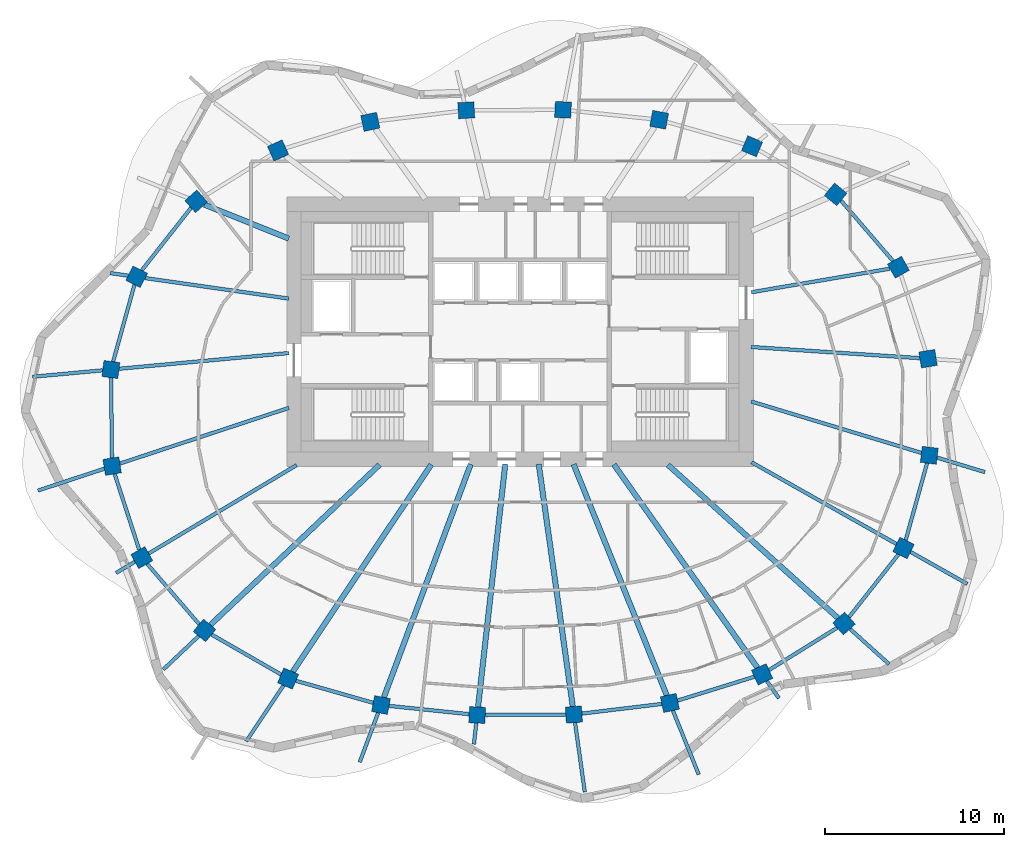
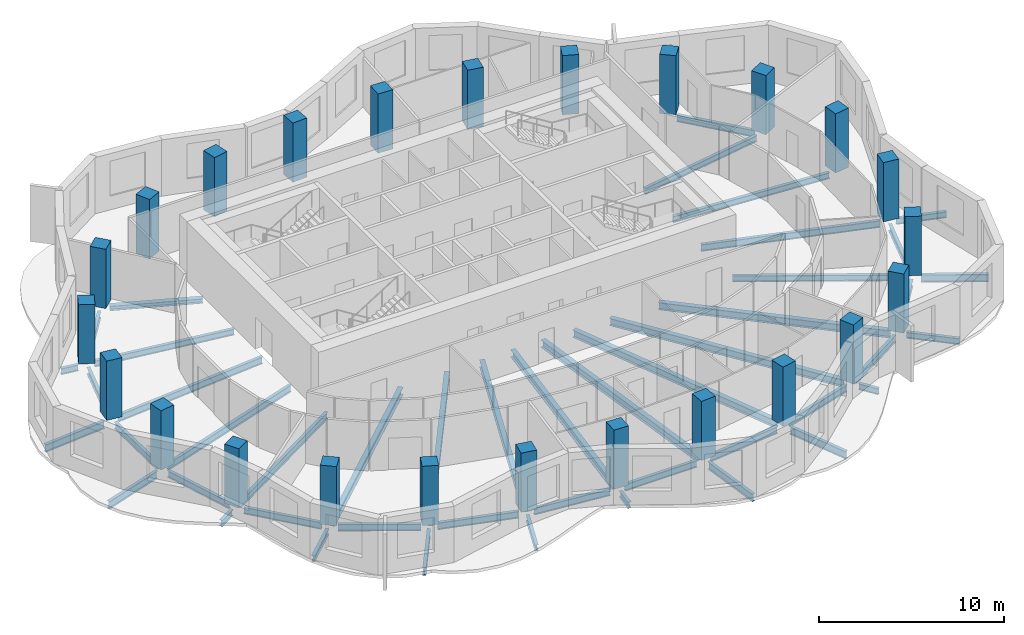
# One storey, part 1 of 9: 46 beams, 24 columns.
"""IFC4 building model written with IfcOpenShell, lengths in metres."""

from ifc_helpers import new_model, si_unit, direction, frame, origin, origin_2d, place, context, subcontext, project, spatial, rectangle, i_section, extrude, material, material_profile, profile_set, type_object, element, save


model = new_model("IFC4")

# Units and contexts
model_context = context("Model", 3, precision=1e-05, world=origin(), true_north=direction((0.0, 1.0)))
body_context = subcontext(model_context, "Body", "Model", "MODEL_VIEW")
ifc_project = project(units=[si_unit("LENGTHUNIT", "METRE"), si_unit("AREAUNIT", "SQUARE_METRE"), si_unit("VOLUMEUNIT", "CUBIC_METRE"), si_unit("PLANEANGLEUNIT", "RADIAN"), si_unit("MASSUNIT", "GRAM", prefix="KILO")], contexts=[model_context])

# Site, building, storey
site_placement = place(None, origin())
site = spatial("IfcSite", under=ifc_project, at=site_placement, CompositionType="ELEMENT")
building_placement = place(site_placement, origin())
building = spatial("IfcBuilding", under=site, at=building_placement, Name="Rubra Terraces Tower", CompositionType="ELEMENT")
storey_placement = place(building_placement, frame((0.0, 0.0, 284.39990234375)))
storey = spatial("IfcBuildingStorey", under=building, at=storey_placement, Name="L70", CompositionType="ELEMENT", Elevation=284.39990234375)

# Columns
ifc_material_1 = material(Name="Concrete C50", Category="concrete")
ifc_material_profile_1 = material_profile(ifc_material_1, rectangle(XDim=0.89990234375, YDim=0.89990234375, at=origin_2d()), Name="RC 900x900")
ifc_profile_set_1 = profile_set([ifc_material_profile_1], Name="Concrete C50")
column_type = type_object("IfcColumnType", Name="RING COLUMN RC 900x900 C50", PredefinedType="COLUMN", material=ifc_profile_set_1)
for number, where, z_axis, x_axis, name in (
    (1, (22.73388671875, 2.992919921875, 0.0), (0.0, 0.0, 1.0), (-0.162062155721, 0.986780551938, 0.0), "column-L70-ring-01"),
    (2, (21.0810546875, 8.090087890625, 0.0), (0.0, 0.0, 1.0), (-0.490161823029, 0.8716314515, 0.0), "column-L70-ring-02"),
    (3, (17.583984375, 12.15087890625, 0.0), (0.0, 0.0, 1.0), (-0.770679191336, 0.637223339216, 0.0), "column-L70-ring-03"),
    (4, (12.927001953125, 14.83203125, 0.0), (0.0, 0.0, 1.0), (-0.92110553102, 0.389312985558, 0.0), "column-L70-ring-04"),
    (5, (7.7509765625, 16.306884765625, 0.0), (0.0, 0.0, 1.0), (-0.981936574306, 0.189210369799, 0.0), "column-L70-ring-05"),
    (6, (2.39208984375, 16.862060546875, 0.0), (0.0, 0.0, 1.0), (-0.998791416829, 0.049149828786, 0.0), "column-L70-ring-06"),
    (7, (-2.9990234375, 16.8359375, 0.0), (0.0, 0.0, 1.0), (-0.998059443319, -0.062268351524, 0.0), "column-L70-ring-07"),
    (8, (-8.346923828125, 16.19189453125, 0.0), (0.0, 0.0, 1.0), (-0.977944102772, -0.208866780156, 0.0), "column-L70-ring-08"),
    (9, (-13.487060546875, 14.595947265625, 0.0), (0.0, 0.0, 1.0), (-0.90972649622, -0.415208022652, 0.0), "column-L70-ring-09"),
    (10, (-18.051025390625, 11.762939453125, 0.0), (0.0, 0.0, 1.0), (-0.7456420961, -0.66634665492, 0.0), "column-L70-ring-10"),
    (11, (-21.366943359375, 7.553955078125, 0.0), (0.0, 0.0, 1.0), (-0.452078869866, -0.891977968013, 0.0), "column-L70-ring-11"),
    (12, (-22.802001953125, 2.388916015625, 0.0), (0.0, 0.0, 1.0), (-0.128535191473, -0.991704948336, 0.0), "column-L70-ring-12"),
    (13, (-22.73388671875, -2.992919921875, 0.0), (0.0, 0.0, 1.0), (0.162062155721, -0.986780551938, 0.0), "column-L70-ring-13"),
    (14, (-21.0810546875, -8.090087890625, 0.0), (0.0, 0.0, 1.0), (0.490161823029, -0.8716314515, 0.0), "column-L70-ring-14"),
    (15, (-17.583984375, -12.15087890625, 0.0), (0.0, 0.0, 1.0), (0.770679191336, -0.637223339216, 0.0), "column-L70-ring-15"),
    (16, (-12.927001953125, -14.83203125, 0.0), (0.0, 0.0, 1.0), (0.92110553102, -0.389312985558, 0.0), "column-L70-ring-16"),
    (17, (-7.7509765625, -16.306884765625, 0.0), (0.0, 0.0, 1.0), (0.981936574306, -0.189210369799, 0.0), "column-L70-ring-17"),
    (18, (-2.39208984375, -16.862060546875, 0.0), (0.0, 0.0, 1.0), (0.998791416829, -0.049149828786, 0.0), "column-L70-ring-18"),
    (19, (2.9990234375, -16.8359375, 0.0), (0.0, 0.0, 1.0), (0.998059443319, 0.062268351524, 0.0), "column-L70-ring-19"),
    (20, (8.346923828125, -16.19189453125, 0.0), (0.0, 0.0, 1.0), (0.977944102772, 0.208866780156, 0.0), "column-L70-ring-20"),
    (21, (13.487060546875, -14.595947265625, 0.0), (0.0, 0.0, 1.0), (0.90972649622, 0.415208022652, 0.0), "column-L70-ring-21"),
    (22, (18.051025390625, -11.762939453125, 0.0), (0.0, 0.0, 1.0), (0.7456420961, 0.66634665492, 0.0), "column-L70-ring-22"),
    (23, (21.366943359375, -7.553955078125, 0.0), (0.0, 0.0, 1.0), (0.452078869866, 0.891977968013, 0.0), "column-L70-ring-23"),
    (24, (22.802001953125, -2.388916015625, 0.0), (0.0, 0.0, 1.0), (0.128535191473, 0.991704948336, 0.0), "column-L70-ring-24"),
):
    element("IfcColumn", number, at=place(storey_placement, frame(where, z_axis=z_axis, x_axis=x_axis)), inside=storey, type_object=column_type, Name=name, PredefinedType="COLUMN", context=body_context, shape_type="SweptSolid", body=[
        extrude(rectangle(XDim=0.89990234375, YDim=0.89990234375, at=origin_2d()), origin(), (0.0, 0.0, 1.0), 3.900146484375),
    ])

# Beams
ifc_material_2 = material(Name="Steel Q355B", Category="steel")
ifc_material_profile_2 = material_profile(ifc_material_2, i_section(OverallWidth=0.199951171875, OverallDepth=0.39990234375, WebThickness=0.008056640625, FlangeThickness=0.012939453125, at=origin_2d()), Name="HN 400x200x8x13")
ifc_profile_set_2 = profile_set([ifc_material_profile_2], Name="Steel Q355B")
beam_type_1 = type_object("IfcBeamType", Name="CANTILEVER BEAM HN 400x200x8x13", PredefinedType="BEAM", material=ifc_profile_set_2)
beam_1_placement = place(storey_placement, frame((-17.9130859375, -12.462890625, -0.39990234375), z_axis=(-0.726108422197, -0.687580220203, 0.0), x_axis=(0.687580220203, -0.726108422197, 0.0)))
element("IfcBeam", 25, at=beam_1_placement, inside=storey, type_object=beam_type_1, Name="beam-L70-cant-15", PredefinedType="BEAM", context=body_context, shape_type="SweptSolid", body=[
    extrude(i_section(OverallWidth=0.199951171875, OverallDepth=0.39990234375, WebThickness=0.008056640625, FlangeThickness=0.012939453125, at=origin_2d()), origin(), (0.0, 0.0, 1.0), 2.718505859375),
])
beam_2_placement = place(storey_placement, frame((-7.909912109375, -16.735107421875, -0.39990234375), z_axis=(-0.349339202299, -0.936996329628, 0.0), x_axis=(0.936996329628, -0.349339202299, 0.0)))
element("IfcBeam", 26, at=beam_2_placement, inside=storey, type_object=beam_type_1, Name="beam-L70-cant-17", PredefinedType="BEAM", context=body_context, shape_type="SweptSolid", body=[
    extrude(i_section(OverallWidth=0.199951171875, OverallDepth=0.39990234375, WebThickness=0.008056640625, FlangeThickness=0.012939453125, at=origin_2d()), origin(), (0.0, 0.0, 1.0), 2.940185546875),
])
beam_3_placement = place(storey_placement, frame((18.386962890625, -12.06591796875, -0.39990234375), z_axis=(0.742932803454, -0.669366005674, 0.0), x_axis=(0.669366005674, 0.742932803454, 0.0)))
element("IfcBeam", 27, at=beam_3_placement, inside=storey, type_object=beam_type_1, Name="beam-L70-cant-22", PredefinedType="BEAM", context=body_context, shape_type="SweptSolid", body=[
    extrude(i_section(OverallWidth=0.199951171875, OverallDepth=0.39990234375, WebThickness=0.008056640625, FlangeThickness=0.012939453125, at=origin_2d()), origin(), (0.0, 0.0, 1.0), 2.923828125),
])
beam_4_placement = place(storey_placement, frame((23.239013671875, -2.52099609375, -0.39990234375), z_axis=(0.957261203881, -0.289224804512, 0.0), x_axis=(0.289224804512, 0.957261203881, 0.0)))
element("IfcBeam", 28, at=beam_4_placement, inside=storey, type_object=beam_type_1, Name="beam-L70-cant-24", PredefinedType="BEAM", context=body_context, shape_type="SweptSolid", body=[
    extrude(i_section(OverallWidth=0.199951171875, OverallDepth=0.39990234375, WebThickness=0.008056640625, FlangeThickness=0.012939453125, at=origin_2d()), origin(), (0.0, 0.0, 1.0), 2.77978515625),
])
ifc_material_profile_3 = material_profile(ifc_material_2, i_section(OverallWidth=0.198974609375, OverallDepth=0.49609375, WebThickness=0.009033203125, FlangeThickness=0.013916015625, at=origin_2d()), Name="HN 496x199x9x14")
ifc_profile_set_3 = profile_set([ifc_material_profile_3], Name="Steel Q355B")
beam_type_2 = type_object("IfcBeamType", Name="CANTILEVER BEAM HN 496x199x9x14", PredefinedType="BEAM", material=ifc_profile_set_3)
beam_5_placement = place(storey_placement, frame((-23.260986328125, 2.345947265625, -0.447998046875), z_axis=(-0.995751576587, -0.092080387299, 0.0), x_axis=(0.092080387299, -0.995751576587, 0.0)))
element("IfcBeam", 29, at=beam_5_placement, inside=storey, type_object=beam_type_2, Name="beam-L70-cant-12", PredefinedType="BEAM", context=body_context, shape_type="SweptSolid", body=[
    extrude(i_section(OverallWidth=0.198974609375, OverallDepth=0.49609375, WebThickness=0.009033203125, FlangeThickness=0.013916015625, at=origin_2d()), origin(), (0.0, 0.0, 1.0), 3.918701171875),
])
beam_6_placement = place(storey_placement, frame((-23.1669921875, -3.135986328125, -0.447998046875), z_axis=(-0.949780538411, -0.312916808201, 0.0), x_axis=(0.312916808201, -0.949780538411, 0.0)))
element("IfcBeam", 30, at=beam_6_placement, inside=storey, type_object=beam_type_2, Name="beam-L70-cant-13", PredefinedType="BEAM", context=body_context, shape_type="SweptSolid", body=[
    extrude(i_section(OverallWidth=0.198974609375, OverallDepth=0.49609375, WebThickness=0.009033203125, FlangeThickness=0.013916015625, at=origin_2d()), origin(), (0.0, 0.0, 1.0), 3.8955078125),
])
beam_7_placement = place(storey_placement, frame((-13.181884765625, -15.212890625, -0.447998046875), z_axis=(-0.555692252439, -0.831388068582, 0.0), x_axis=(0.831388068582, -0.555692252439, 0.0)))
element("IfcBeam", 31, at=beam_7_placement, inside=storey, type_object=beam_type_2, Name="beam-L70-cant-16", PredefinedType="BEAM", context=body_context, shape_type="SweptSolid", body=[
    extrude(i_section(OverallWidth=0.198974609375, OverallDepth=0.49609375, WebThickness=0.009033203125, FlangeThickness=0.013916015625, at=origin_2d()), origin(), (0.0, 0.0, 1.0), 3.746826171875),
])
beam_8_placement = place(storey_placement, frame((3.06201171875, -17.282958984375, -0.447998046875), z_axis=(0.139113240656, -0.990276479714, 0.0), x_axis=(0.990276479714, 0.139113240656, 0.0)))
element("IfcBeam", 32, at=beam_8_placement, inside=storey, type_object=beam_type_2, Name="beam-L70-cant-19", PredefinedType="BEAM", context=body_context, shape_type="SweptSolid", body=[
    extrude(i_section(OverallWidth=0.198974609375, OverallDepth=0.49609375, WebThickness=0.009033203125, FlangeThickness=0.013916015625, at=origin_2d()), origin(), (0.0, 0.0, 1.0), 3.91015625),
])
beam_9_placement = place(storey_placement, frame((8.51806640625, -16.615966796875, -0.447998046875), z_axis=(0.374086563965, -0.927393790502, 0.0), x_axis=(0.927393790502, 0.374086563965, 0.0)))
element("IfcBeam", 33, at=beam_9_placement, inside=storey, type_object=beam_type_2, Name="beam-L70-cant-20", PredefinedType="BEAM", context=body_context, shape_type="SweptSolid", body=[
    extrude(i_section(OverallWidth=0.198974609375, OverallDepth=0.49609375, WebThickness=0.009033203125, FlangeThickness=0.013916015625, at=origin_2d()), origin(), (0.0, 0.0, 1.0), 3.8388671875),
])
beam_10_placement = place(storey_placement, frame((21.759033203125, -7.77490234375, -0.447998046875), z_axis=(0.870943071103, -0.49138393024, 0.0), x_axis=(0.49138393024, 0.870943071103, 0.0)))
element("IfcBeam", 34, at=beam_10_placement, inside=storey, type_object=beam_type_2, Name="beam-L70-cant-23", PredefinedType="BEAM", context=body_context, shape_type="SweptSolid", body=[
    extrude(i_section(OverallWidth=0.198974609375, OverallDepth=0.49609375, WebThickness=0.009033203125, FlangeThickness=0.013916015625, at=origin_2d()), origin(), (0.0, 0.0, 1.0), 3.6328125),
])
ifc_material_profile_4 = material_profile(ifc_material_2, i_section(OverallWidth=0.199951171875, OverallDepth=0.39990234375, WebThickness=0.008056640625, FlangeThickness=0.012939453125, at=origin_2d()), Name="HN 400x200x8x13")
ifc_profile_set_4 = profile_set([ifc_material_profile_4], Name="Steel Q355B")
beam_type_3 = type_object("IfcBeamType", Name="CANTILEVER STUB HN 400x200x8x13", PredefinedType="BEAM", material=ifc_profile_set_4)
beam_11_placement = place(storey_placement, frame((-21.8369140625, 7.62109375, -0.39990234375), z_axis=(-0.989934873195, 0.141523661744, 0.0), x_axis=(-0.141523661744, -0.989934873195, 0.0)))
element("IfcBeam", 35, at=beam_11_placement, inside=storey, type_object=beam_type_3, Name="beam-L70-cant-11", PredefinedType="BEAM", context=body_context, shape_type="SweptSolid", body=[
    extrude(i_section(OverallWidth=0.199951171875, OverallDepth=0.39990234375, WebThickness=0.008056640625, FlangeThickness=0.012939453125, at=origin_2d()), origin(), (0.0, 0.0, 1.0), 1.002197265625),
])
beam_12_placement = place(storey_placement, frame((-21.467041015625, -8.321044921875, -0.39990234375), z_axis=(-0.858763799303, -0.512371678576, 0.0), x_axis=(0.512371678576, -0.858763799303, 0.0)))
element("IfcBeam", 36, at=beam_12_placement, inside=storey, type_object=beam_type_3, Name="beam-L70-cant-14", PredefinedType="BEAM", context=body_context, shape_type="SweptSolid", body=[
    extrude(i_section(OverallWidth=0.199951171875, OverallDepth=0.39990234375, WebThickness=0.008056640625, FlangeThickness=0.012939453125, at=origin_2d()), origin(), (0.0, 0.0, 1.0), 1.218017578125),
])
beam_13_placement = place(storey_placement, frame((-2.44189453125, -17.31005859375, -0.39990234375), z_axis=(-0.111153107694, -0.993803293741, 0.0), x_axis=(0.993803293741, -0.111153107694, 0.0)))
element("IfcBeam", 37, at=beam_13_placement, inside=storey, type_object=beam_type_3, Name="beam-L70-cant-18", PredefinedType="BEAM", context=body_context, shape_type="SweptSolid", body=[
    extrude(i_section(OverallWidth=0.199951171875, OverallDepth=0.39990234375, WebThickness=0.008056640625, FlangeThickness=0.012939453125, at=origin_2d()), origin(), (0.0, 0.0, 1.0), 1.188232421875),
])
beam_14_placement = place(storey_placement, frame((13.7509765625, -14.969970703125, -0.39990234375), z_axis=(0.576855693337, -0.816846074279, 0.0), x_axis=(0.816846074279, 0.576855693337, 0.0)))
element("IfcBeam", 38, at=beam_14_placement, inside=storey, type_object=beam_type_3, Name="beam-L70-cant-21", PredefinedType="BEAM", context=body_context, shape_type="SweptSolid", body=[
    extrude(i_section(OverallWidth=0.199951171875, OverallDepth=0.39990234375, WebThickness=0.008056640625, FlangeThickness=0.012939453125, at=origin_2d()), origin(), (0.0, 0.0, 1.0), 1.166748046875),
])
ifc_material_profile_5 = material_profile(ifc_material_2, i_section(OverallWidth=0.300048828125, OverallDepth=0.48193359375, WebThickness=0.010986328125, FlangeThickness=0.014892578125, at=origin_2d()), Name="HM 482x300x11x15")
ifc_profile_set_5 = profile_set([ifc_material_profile_5], Name="Steel Q355B")
beam_type_4 = type_object("IfcBeamType", Name="FLOOR BEAM HM 482x300x11x15", PredefinedType="BEAM", material=ifc_profile_set_5)
beam_15_placement = place(storey_placement, frame((-17.2548828125, -11.839111328125, -0.44091796875), z_axis=(0.726101482513, 0.687587548674, 0.0), x_axis=(-0.687587548674, 0.726101482513, 0.0)))
element("IfcBeam", 39, at=beam_15_placement, inside=storey, type_object=beam_type_4, Name="beam-L70-floor-15", PredefinedType="BEAM", context=body_context, shape_type="SweptSolid", body=[
    extrude(i_section(OverallWidth=0.300048828125, OverallDepth=0.48193359375, WebThickness=0.010986328125, FlangeThickness=0.014892578125, at=origin_2d()), origin(), (0.0, 0.0, 1.0), 12.97607421875),
])
beam_16_placement = place(storey_placement, frame((-12.672119140625, -14.450927734375, -0.44091796875), z_axis=(0.55586735335, 0.831271006038, 0.0), x_axis=(-0.831271006038, 0.55586735335, 0.0)))
element("IfcBeam", 40, at=beam_16_placement, inside=storey, type_object=beam_type_4, Name="beam-L70-floor-16", PredefinedType="BEAM", context=body_context, shape_type="SweptSolid", body=[
    extrude(i_section(OverallWidth=0.300048828125, OverallDepth=0.48193359375, WebThickness=0.010986328125, FlangeThickness=0.014892578125, at=origin_2d()), origin(), (0.0, 0.0, 1.0), 13.8955078125),
])
beam_17_placement = place(storey_placement, frame((-7.592041015625, -15.87890625, -0.44091796875), z_axis=(0.349129035616, 0.937074658973, 0.0), x_axis=(-0.937074658973, 0.349129035616, 0.0)))
element("IfcBeam", 41, at=beam_17_placement, inside=storey, type_object=beam_type_4, Name="beam-L70-floor-17", PredefinedType="BEAM", context=body_context, shape_type="SweptSolid", body=[
    extrude(i_section(OverallWidth=0.300048828125, OverallDepth=0.48193359375, WebThickness=0.010986328125, FlangeThickness=0.014892578125, at=origin_2d()), origin(), (0.0, 0.0, 1.0), 13.86328125),
])
beam_18_placement = place(storey_placement, frame((-2.342041015625, -16.4140625, -0.44091796875), z_axis=(0.111334672678, 0.993782969596, 0.0), x_axis=(-0.993782969596, 0.111334672678, 0.0)))
element("IfcBeam", 42, at=beam_18_placement, inside=storey, type_object=beam_type_4, Name="beam-L70-floor-18", PredefinedType="BEAM", context=body_context, shape_type="SweptSolid", body=[
    extrude(i_section(OverallWidth=0.300048828125, OverallDepth=0.48193359375, WebThickness=0.010986328125, FlangeThickness=0.014892578125, at=origin_2d()), origin(), (0.0, 0.0, 1.0), 13.61767578125),
])
beam_19_placement = place(storey_placement, frame((2.93603515625, -16.388916015625, -0.44091796875), z_axis=(-0.139140748081, 0.990272615103, 0.0), x_axis=(-0.990272615103, -0.139140748081, 0.0)))
element("IfcBeam", 43, at=beam_19_placement, inside=storey, type_object=beam_type_4, Name="beam-L70-floor-19", PredefinedType="BEAM", context=body_context, shape_type="SweptSolid", body=[
    extrude(i_section(OverallWidth=0.300048828125, OverallDepth=0.48193359375, WebThickness=0.010986328125, FlangeThickness=0.014892578125, at=origin_2d()), origin(), (0.0, 0.0, 1.0), 13.640380859375),
])
beam_20_placement = place(storey_placement, frame((8.176025390625, -15.76806640625, -0.44091796875), z_axis=(-0.374083693877, 0.927394948215, 0.0), x_axis=(-0.927394948215, -0.374083693877, 0.0)))
element("IfcBeam", 44, at=beam_20_placement, inside=storey, type_object=beam_type_4, Name="beam-L70-floor-20", PredefinedType="BEAM", context=body_context, shape_type="SweptSolid", body=[
    extrude(i_section(OverallWidth=0.300048828125, OverallDepth=0.48193359375, WebThickness=0.010986328125, FlangeThickness=0.014892578125, at=origin_2d()), origin(), (0.0, 0.0, 1.0), 13.887451171875),
])
beam_21_placement = place(storey_placement, frame((13.222900390625, -14.221923828125, -0.44091796875), z_axis=(-0.576895514811, 0.816817950948, 0.0), x_axis=(-0.816817950948, -0.576895514811, 0.0)))
element("IfcBeam", 45, at=beam_21_placement, inside=storey, type_object=beam_type_4, Name="beam-L70-floor-21", PredefinedType="BEAM", context=body_context, shape_type="SweptSolid", body=[
    extrude(i_section(OverallWidth=0.300048828125, OverallDepth=0.48193359375, WebThickness=0.010986328125, FlangeThickness=0.014892578125, at=origin_2d()), origin(), (0.0, 0.0, 1.0), 13.8583984375),
])
beam_22_placement = place(storey_placement, frame((17.715087890625, -11.4599609375, -0.44091796875), z_axis=(-0.742980094736, 0.669313513105, 0.0), x_axis=(-0.669313513105, -0.742980094736, 0.0)))
element("IfcBeam", 46, at=beam_22_placement, inside=storey, type_object=beam_type_4, Name="beam-L70-floor-22", PredefinedType="BEAM", context=body_context, shape_type="SweptSolid", body=[
    extrude(i_section(OverallWidth=0.300048828125, OverallDepth=0.48193359375, WebThickness=0.010986328125, FlangeThickness=0.014892578125, at=origin_2d()), origin(), (0.0, 0.0, 1.0), 12.759521484375),
])
ifc_material_profile_6 = material_profile(ifc_material_2, i_section(OverallWidth=0.199951171875, OverallDepth=0.39990234375, WebThickness=0.008056640625, FlangeThickness=0.012939453125, at=origin_2d()), Name="HN 400x200x8x13")
ifc_profile_set_6 = profile_set([ifc_material_profile_6], Name="Steel Q355B")
beam_type_5 = type_object("IfcBeamType", Name="FLOOR BEAM HN 400x200x8x13", PredefinedType="BEAM", material=ifc_profile_set_6)
beam_23_placement = place(storey_placement, frame((22.27294921875, 3.02392578125, -0.39990234375), z_axis=(-0.997814209988, 0.066081785285, 0.0), x_axis=(-0.066081785285, -0.997814209988, 0.0)))
element("IfcBeam", 47, at=beam_23_placement, inside=storey, type_object=beam_type_5, Name="beam-L70-floor-01", PredefinedType="BEAM", context=body_context, shape_type="SweptSolid", body=[
    extrude(i_section(OverallWidth=0.199951171875, OverallDepth=0.39990234375, WebThickness=0.008056640625, FlangeThickness=0.012939453125, at=origin_2d()), origin(), (0.0, 0.0, 1.0), 9.41357421875),
])
beam_24_placement = place(storey_placement, frame((20.610107421875, 8.010009765625, -0.39990234375), z_axis=(-0.985810425856, -0.167862456415, 0.0), x_axis=(0.167862456415, -0.985810425856, 0.0)))
element("IfcBeam", 48, at=beam_24_placement, inside=storey, type_object=beam_type_5, Name="beam-L70-floor-02", PredefinedType="BEAM", context=body_context, shape_type="SweptSolid", body=[
    extrude(i_section(OverallWidth=0.199951171875, OverallDepth=0.39990234375, WebThickness=0.008056640625, FlangeThickness=0.012939453125, at=origin_2d()), origin(), (0.0, 0.0, 1.0), 7.83935546875),
])
beam_25_placement = place(storey_placement, frame((-20.89697265625, 7.487060546875, -0.39990234375), z_axis=(0.98993441274, -0.141526882509, 0.0), x_axis=(0.141526882509, 0.98993441274, 0.0)))
element("IfcBeam", 49, at=beam_25_placement, inside=storey, type_object=beam_type_5, Name="beam-L70-floor-11", PredefinedType="BEAM", context=body_context, shape_type="SweptSolid", body=[
    extrude(i_section(OverallWidth=0.199951171875, OverallDepth=0.39990234375, WebThickness=0.008056640625, FlangeThickness=0.012939453125, at=origin_2d()), origin(), (0.0, 0.0, 1.0), 8.097412109375),
])
beam_26_placement = place(storey_placement, frame((20.97509765625, -7.3330078125, -0.39990234375), z_axis=(-0.870973270007, 0.491330400986, 0.0), x_axis=(-0.491330400986, -0.870973270007, 0.0)))
element("IfcBeam", 50, at=beam_26_placement, inside=storey, type_object=beam_type_5, Name="beam-L70-floor-23", PredefinedType="BEAM", context=body_context, shape_type="SweptSolid", body=[
    extrude(i_section(OverallWidth=0.199951171875, OverallDepth=0.39990234375, WebThickness=0.008056640625, FlangeThickness=0.012939453125, at=origin_2d()), origin(), (0.0, 0.0, 1.0), 9.277099609375),
])
ifc_material_profile_7 = material_profile(ifc_material_2, i_section(OverallWidth=0.198974609375, OverallDepth=0.446044921875, WebThickness=0.008056640625, FlangeThickness=0.011962890625, at=origin_2d()), Name="HN 446x199x8x12")
ifc_profile_set_7 = profile_set([ifc_material_profile_7], Name="Steel Q355B")
beam_type_6 = type_object("IfcBeamType", Name="FLOOR BEAM HN 446x199x8x12", PredefinedType="BEAM", material=ifc_profile_set_7)
beam_27_placement = place(storey_placement, frame((-22.343017578125, 2.431884765625, -0.4228515625), z_axis=(0.995739538303, 0.092210475874, 0.0), x_axis=(-0.092210475874, 0.995739538303, 0.0)))
element("IfcBeam", 51, at=beam_27_placement, inside=storey, type_object=beam_type_6, Name="beam-L70-floor-12", PredefinedType="BEAM", context=body_context, shape_type="SweptSolid", body=[
    extrude(i_section(OverallWidth=0.198974609375, OverallDepth=0.446044921875, WebThickness=0.008056640625, FlangeThickness=0.011962890625, at=origin_2d()), origin(), (0.0, 0.0, 1.0), 9.50244140625),
])
beam_28_placement = place(storey_placement, frame((-22.301025390625, -2.85009765625, -0.4228515625), z_axis=(0.949746725795, 0.313019419273, 0.0), x_axis=(-0.313019419273, 0.949746725795, 0.0)))
element("IfcBeam", 52, at=beam_28_placement, inside=storey, type_object=beam_type_6, Name="beam-L70-floor-13", PredefinedType="BEAM", context=body_context, shape_type="SweptSolid", body=[
    extrude(i_section(OverallWidth=0.198974609375, OverallDepth=0.446044921875, WebThickness=0.008056640625, FlangeThickness=0.011962890625, at=origin_2d()), origin(), (0.0, 0.0, 1.0), 9.913330078125),
])
beam_29_placement = place(storey_placement, frame((-20.695068359375, -7.85888671875, -0.4228515625), z_axis=(0.858552756119, 0.512725233396, 0.0), x_axis=(-0.512725233396, 0.858552756119, 0.0)))
element("IfcBeam", 53, at=beam_29_placement, inside=storey, type_object=beam_type_6, Name="beam-L70-floor-14", PredefinedType="BEAM", context=body_context, shape_type="SweptSolid", body=[
    extrude(i_section(OverallWidth=0.198974609375, OverallDepth=0.446044921875, WebThickness=0.008056640625, FlangeThickness=0.011962890625, at=origin_2d()), origin(), (0.0, 0.0, 1.0), 9.59765625),
])
beam_30_placement = place(storey_placement, frame((22.364990234375, -2.257080078125, -0.4228515625), z_axis=(-0.957268105474, 0.289201960992, 0.0), x_axis=(-0.289201960992, -0.957268105474, 0.0)))
element("IfcBeam", 54, at=beam_30_placement, inside=storey, type_object=beam_type_6, Name="beam-L70-floor-24", PredefinedType="BEAM", context=body_context, shape_type="SweptSolid", body=[
    extrude(i_section(OverallWidth=0.198974609375, OverallDepth=0.446044921875, WebThickness=0.008056640625, FlangeThickness=0.011962890625, at=origin_2d()), origin(), (0.0, 0.0, 1.0), 9.903076171875),
])
ifc_material_profile_8 = material_profile(ifc_material_2, i_section(OverallWidth=0.304931640625, OverallDepth=0.300048828125, WebThickness=0.014892578125, FlangeThickness=0.014892578125, at=origin_2d()), Name="HW 300x305x15x15")
ifc_profile_set_8 = profile_set([ifc_material_profile_8], Name="Steel Q355B")
beam_type_7 = type_object("IfcBeamType", Name="FLOOR BEAM HW 300x305x15x15", PredefinedType="BEAM", material=ifc_profile_set_8)
beam_31_placement = place(storey_placement, frame((-17.5849609375, 11.575927734375, -0.349853515625), z_axis=(0.927692985207, -0.373343977047, 0.0), x_axis=(0.373343977047, 0.927692985207, 0.0)))
element("IfcBeam", 55, at=beam_31_placement, inside=storey, type_object=beam_type_7, Name="beam-L70-floor-10", PredefinedType="BEAM", context=body_context, shape_type="SweptSolid", body=[
    extrude(i_section(OverallWidth=0.304931640625, OverallDepth=0.300048828125, WebThickness=0.014892578125, FlangeThickness=0.014892578125, at=origin_2d()), origin(), (0.0, 0.0, 1.0), 5.06201171875),
])
ifc_material_profile_9 = material_profile(ifc_material_2, i_section(OverallWidth=0.198974609375, OverallDepth=0.446044921875, WebThickness=0.008056640625, FlangeThickness=0.011962890625, at=origin_2d()), Name="HN 446x199x8x12")
ifc_profile_set_9 = profile_set([ifc_material_profile_9], Name="Steel Q355B")
beam_type_8 = type_object("IfcBeamType", Name="SPANDREL BEAM HN 446x199x8x12", PredefinedType="SPANDREL", material=ifc_profile_set_9)
beam_32_placement = place(storey_placement, frame((20.781005859375, 8.43798828125, -0.4228515625), z_axis=(-0.652473175209, 0.757811820726, 0.0), x_axis=(-0.757811820726, -0.652473175209, 0.0)))
element("IfcBeam", 56, at=beam_32_placement, inside=storey, type_object=beam_type_8, Name="beam-L70-spandrel-02", PredefinedType="SPANDREL", context=body_context, shape_type="SweptSolid", body=[
    extrude(i_section(OverallWidth=0.198974609375, OverallDepth=0.446044921875, WebThickness=0.008056640625, FlangeThickness=0.011962890625, at=origin_2d()), origin(), (0.0, 0.0, 1.0), 4.44287109375),
])
beam_33_placement = place(storey_placement, frame((-18.333984375, 11.404052734375, -0.4228515625), z_axis=(-0.61888661349, -0.785480336891, 0.0), x_axis=(0.785480336891, -0.61888661349, 0.0)))
element("IfcBeam", 57, at=beam_33_placement, inside=storey, type_object=beam_type_8, Name="beam-L70-spandrel-10", PredefinedType="SPANDREL", context=body_context, shape_type="SweptSolid", body=[
    extrude(i_section(OverallWidth=0.198974609375, OverallDepth=0.446044921875, WebThickness=0.008056640625, FlangeThickness=0.011962890625, at=origin_2d()), origin(), (0.0, 0.0, 1.0), 4.44189453125),
])
beam_34_placement = place(storey_placement, frame((-21.489990234375, 7.112060546875, -0.4228515625), z_axis=(-0.267564585696, -0.963539927809, 0.0), x_axis=(0.963539927809, -0.267564585696, 0.0)))
element("IfcBeam", 58, at=beam_34_placement, inside=storey, type_object=beam_type_8, Name="beam-L70-spandrel-11", PredefinedType="SPANDREL", context=body_context, shape_type="SweptSolid", body=[
    extrude(i_section(OverallWidth=0.198974609375, OverallDepth=0.446044921875, WebThickness=0.008056640625, FlangeThickness=0.011962890625, at=origin_2d()), origin(), (0.0, 0.0, 1.0), 4.447265625),
])
beam_35_placement = place(storey_placement, frame((-22.7958984375, 1.93408203125, -0.4228515625), z_axis=(0.01250038801, -0.999921867097, 0.0), x_axis=(0.999921867097, 0.01250038801, 0.0)))
element("IfcBeam", 59, at=beam_35_placement, inside=storey, type_object=beam_type_8, Name="beam-L70-spandrel-12", PredefinedType="SPANDREL", context=body_context, shape_type="SweptSolid", body=[
    extrude(i_section(OverallWidth=0.198974609375, OverallDepth=0.446044921875, WebThickness=0.008056640625, FlangeThickness=0.011962890625, at=origin_2d()), origin(), (0.0, 0.0, 1.0), 4.472412109375),
])
beam_36_placement = place(storey_placement, frame((-22.593994140625, -3.426025390625, -0.4228515625), z_axis=(0.308536942246, -0.951212360764, 0.0), x_axis=(0.951212360764, 0.308536942246, 0.0)))
element("IfcBeam", 60, at=beam_36_placement, inside=storey, type_object=beam_type_8, Name="beam-L70-spandrel-13", PredefinedType="SPANDREL", context=body_context, shape_type="SweptSolid", body=[
    extrude(i_section(OverallWidth=0.198974609375, OverallDepth=0.446044921875, WebThickness=0.008056640625, FlangeThickness=0.011962890625, at=origin_2d()), origin(), (0.0, 0.0, 1.0), 4.44384765625),
])
beam_37_placement = place(storey_placement, frame((-20.781005859375, -8.43798828125, -0.4228515625), z_axis=(0.652473175209, -0.757811820726, 0.0), x_axis=(0.757811820726, 0.652473175209, 0.0)))
element("IfcBeam", 61, at=beam_37_placement, inside=storey, type_object=beam_type_8, Name="beam-L70-spandrel-14", PredefinedType="SPANDREL", context=body_context, shape_type="SweptSolid", body=[
    extrude(i_section(OverallWidth=0.198974609375, OverallDepth=0.446044921875, WebThickness=0.008056640625, FlangeThickness=0.011962890625, at=origin_2d()), origin(), (0.0, 0.0, 1.0), 4.44287109375),
])
beam_38_placement = place(storey_placement, frame((-17.18798828125, -12.37890625, -0.4228515625), z_axis=(0.866616005945, -0.498975648945, 0.0), x_axis=(0.498975648945, 0.866616005945, 0.0)))
element("IfcBeam", 62, at=beam_38_placement, inside=storey, type_object=beam_type_8, Name="beam-L70-spandrel-15", PredefinedType="SPANDREL", context=body_context, shape_type="SweptSolid", body=[
    extrude(i_section(OverallWidth=0.198974609375, OverallDepth=0.446044921875, WebThickness=0.008056640625, FlangeThickness=0.011962890625, at=origin_2d()), origin(), (0.0, 0.0, 1.0), 4.463134765625),
])
beam_39_placement = place(storey_placement, frame((-12.490966796875, -14.9560546875, -0.4228515625), z_axis=(0.961713024643, -0.27405849418, 0.0), x_axis=(0.27405849418, 0.961713024643, 0.0)))
element("IfcBeam", 63, at=beam_39_placement, inside=storey, type_object=beam_type_8, Name="beam-L70-spandrel-16", PredefinedType="SPANDREL", context=body_context, shape_type="SweptSolid", body=[
    extrude(i_section(OverallWidth=0.198974609375, OverallDepth=0.446044921875, WebThickness=0.008056640625, FlangeThickness=0.011962890625, at=origin_2d()), origin(), (0.0, 0.0, 1.0), 4.477294921875),
])
beam_40_placement = place(storey_placement, frame((-7.302001953125, -16.35400390625, -0.4228515625), z_axis=(0.994684107425, -0.102973425873, 0.0), x_axis=(0.102973425873, 0.994684107425, 0.0)))
element("IfcBeam", 64, at=beam_40_placement, inside=storey, type_object=beam_type_8, Name="beam-L70-spandrel-17", PredefinedType="SPANDREL", context=body_context, shape_type="SweptSolid", body=[
    extrude(i_section(OverallWidth=0.198974609375, OverallDepth=0.446044921875, WebThickness=0.008056640625, FlangeThickness=0.011962890625, at=origin_2d()), origin(), (0.0, 0.0, 1.0), 4.48583984375),
])
beam_41_placement = place(storey_placement, frame((-1.94091796875, -16.860107421875, -0.4228515625), z_axis=(0.999987753188, 0.004949088244, 0.0), x_axis=(-0.004949088244, 0.999987753188, 0.0)))
element("IfcBeam", 65, at=beam_41_placement, inside=storey, type_object=beam_type_8, Name="beam-L70-spandrel-18", PredefinedType="SPANDREL", context=body_context, shape_type="SweptSolid", body=[
    extrude(i_section(OverallWidth=0.198974609375, OverallDepth=0.446044921875, WebThickness=0.008056640625, FlangeThickness=0.011962890625, at=origin_2d()), origin(), (0.0, 0.0, 1.0), 4.489013671875),
])
beam_42_placement = place(storey_placement, frame((3.447021484375, -16.781982421875, -0.4228515625), z_axis=(0.992829862118, 0.119536040116, 0.0), x_axis=(-0.119536040116, 0.992829862118, 0.0)))
element("IfcBeam", 66, at=beam_42_placement, inside=storey, type_object=beam_type_8, Name="beam-L70-spandrel-19", PredefinedType="SPANDREL", context=body_context, shape_type="SweptSolid", body=[
    extrude(i_section(OverallWidth=0.198974609375, OverallDepth=0.446044921875, WebThickness=0.008056640625, FlangeThickness=0.011962890625, at=origin_2d()), origin(), (0.0, 0.0, 1.0), 4.483154296875),
])
beam_43_placement = place(storey_placement, frame((8.779052734375, -16.05810546875, -0.4228515625), z_axis=(0.955035382264, 0.296491852541, 0.0), x_axis=(-0.296491852541, 0.955035382264, 0.0)))
element("IfcBeam", 67, at=beam_43_placement, inside=storey, type_object=beam_type_8, Name="beam-L70-spandrel-20", PredefinedType="SPANDREL", context=body_context, shape_type="SweptSolid", body=[
    extrude(i_section(OverallWidth=0.198974609375, OverallDepth=0.446044921875, WebThickness=0.008056640625, FlangeThickness=0.011962890625, at=origin_2d()), origin(), (0.0, 0.0, 1.0), 4.47607421875),
])
beam_44_placement = place(storey_placement, frame((13.8720703125, -14.35693359375, -0.4228515625), z_axis=(0.849641857012, 0.527360137679, 0.0), x_axis=(-0.527360137679, 0.849641857012, 0.0)))
element("IfcBeam", 68, at=beam_44_placement, inside=storey, type_object=beam_type_8, Name="beam-L70-spandrel-21", PredefinedType="SPANDREL", context=body_context, shape_type="SweptSolid", body=[
    extrude(i_section(OverallWidth=0.198974609375, OverallDepth=0.446044921875, WebThickness=0.008056640625, FlangeThickness=0.011962890625, at=origin_2d()), origin(), (0.0, 0.0, 1.0), 4.4619140625),
])
beam_45_placement = place(storey_placement, frame((18.333984375, -11.404052734375, -0.4228515625), z_axis=(0.61888661349, 0.785480336891, 0.0), x_axis=(-0.785480336891, 0.61888661349, 0.0)))
element("IfcBeam", 69, at=beam_45_placement, inside=storey, type_object=beam_type_8, Name="beam-L70-spandrel-22", PredefinedType="SPANDREL", context=body_context, shape_type="SweptSolid", body=[
    extrude(i_section(OverallWidth=0.198974609375, OverallDepth=0.446044921875, WebThickness=0.008056640625, FlangeThickness=0.011962890625, at=origin_2d()), origin(), (0.0, 0.0, 1.0), 4.44189453125),
])
beam_46_placement = place(storey_placement, frame((21.489990234375, -7.112060546875, -0.4228515625), z_axis=(0.267564585696, 0.963539927809, 0.0), x_axis=(-0.963539927809, 0.267564585696, 0.0)))
element("IfcBeam", 70, at=beam_46_placement, inside=storey, type_object=beam_type_8, Name="beam-L70-spandrel-23", PredefinedType="SPANDREL", context=body_context, shape_type="SweptSolid", body=[
    extrude(i_section(OverallWidth=0.198974609375, OverallDepth=0.446044921875, WebThickness=0.008056640625, FlangeThickness=0.011962890625, at=origin_2d()), origin(), (0.0, 0.0, 1.0), 4.447265625),
])

save(model, "model.ifc")
